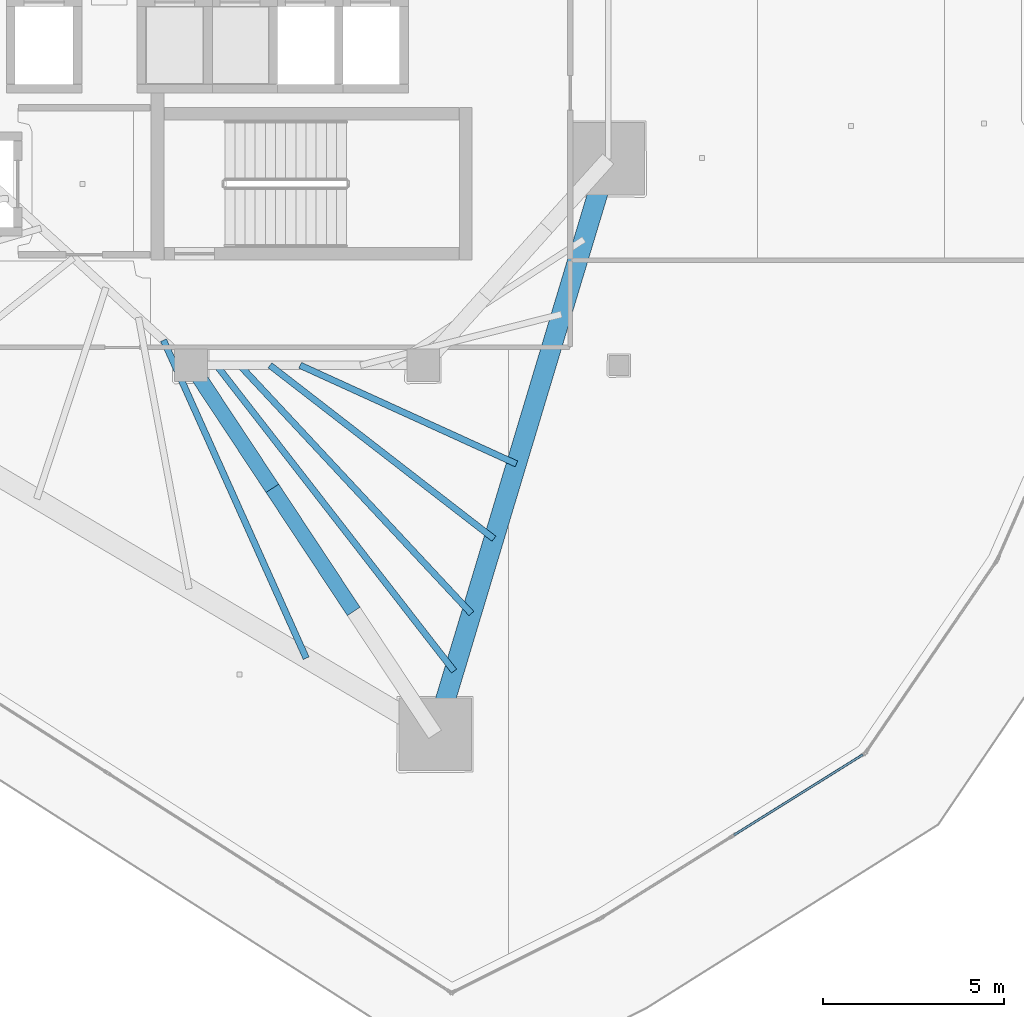
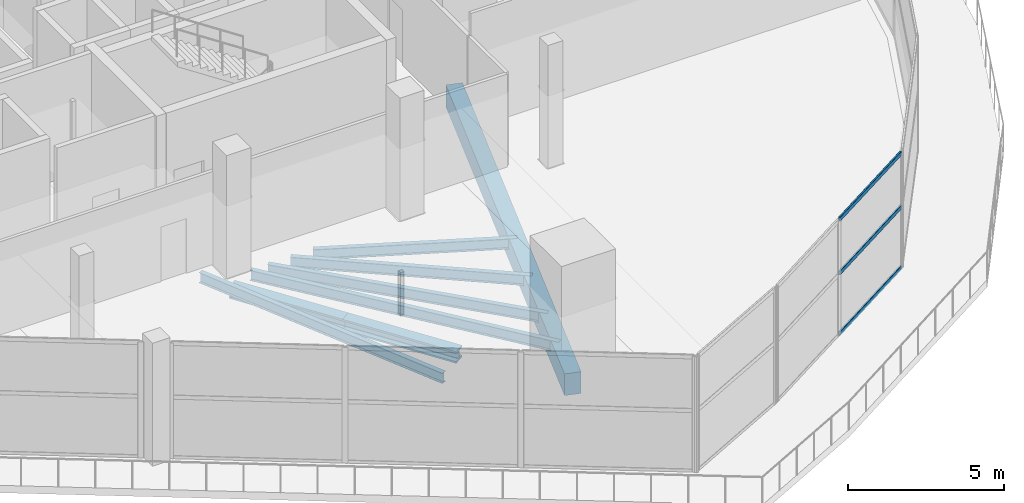
# One storey, part 10 of 36: 6 beams, 5 members, 1 element without a shape of its own.
"""IFC4 building model written with IfcOpenShell, lengths in metres."""

from ifc_helpers import new_model, si_unit, direction, frame, origin, origin_2d, place, context, subcontext, project, spatial, rectangle, hollow_rectangle, i_section, extrude, material, layer, layer_set, material_profile, profile_set, type_object, element, aggregate, save


model = new_model("IFC4")

# Units and contexts
model_context = context("Model", 3, precision=1e-05, world=origin(), true_north=direction((0.0, 1.0)))
body_context = subcontext(model_context, "Body", "Model", "MODEL_VIEW")
ifc_project = project(units=[si_unit("LENGTHUNIT", "METRE"), si_unit("AREAUNIT", "SQUARE_METRE"), si_unit("VOLUMEUNIT", "CUBIC_METRE"), si_unit("PLANEANGLEUNIT", "RADIAN"), si_unit("MASSUNIT", "GRAM", prefix="KILO")], contexts=[model_context])

# Site, building, storey
site_placement = place(None, origin())
site = spatial("IfcSite", under=ifc_project, at=site_placement, CompositionType="ELEMENT")
building_placement = place(site_placement, origin())
building = spatial("IfcBuilding", under=site, at=building_placement, Name="Qorvath Tower", CompositionType="ELEMENT")
storey_placement = place(building_placement, frame((0.0, 0.0, 180.0)))
storey = spatial("IfcBuildingStorey", under=building, at=storey_placement, Name="L41", CompositionType="ELEMENT", Elevation=180.0)

# Beams
ifc_material_1 = material(Name="Steel ASTM A992 Grade 50", Category="steel")
ifc_material_profile_1 = material_profile(ifc_material_1, i_section(OverallWidth=0.177978515625, OverallDepth=0.406005859375, WebThickness=0.0078125, FlangeThickness=0.0126953125, FilletRadius=0.010986328125, at=origin_2d()), Name="W16x40")
ifc_profile_set_1 = profile_set([ifc_material_profile_1], Name="Steel ASTM A992 Grade 50")
beam_type_1 = type_object("IfcBeamType", Name="BM-FJ3", PredefinedType="JOIST", material=ifc_profile_set_1)
beam_1_placement = place(storey_placement, frame((-20.592041015625, -11.449951171875, -0.5029296875), z_axis=(0.909945081179, -0.414728765868, 0.0), x_axis=(0.414728765868, 0.909945081179, 0.0)))
element("IfcBeam", 1, at=beam_1_placement, inside=storey, type_object=beam_type_1, Name="Composite Floor Joist SE4 L41", PredefinedType="JOIST", context=body_context, shape_type="SweptSolid", body=[
    extrude(i_section(OverallWidth=0.177978515625, OverallDepth=0.406005859375, WebThickness=0.0078125, FlangeThickness=0.0126953125, FilletRadius=0.010986328125, at=origin_2d()), origin(), (0.0, 0.0, 1.0), 6.554931640625),
])
beam_2_placement = place(storey_placement, frame((-21.424072265625, -11.449951171875, -0.5029296875), z_axis=(0.790693445503, -0.612212279555, 0.0), x_axis=(0.612212279555, 0.790693445503, 0.0)))
element("IfcBeam", 2, at=beam_2_placement, inside=storey, type_object=beam_type_1, Name="Composite Floor Joist SE5 L41", PredefinedType="JOIST", context=body_context, shape_type="SweptSolid", body=[
    extrude(i_section(OverallWidth=0.177978515625, OverallDepth=0.406005859375, WebThickness=0.0078125, FlangeThickness=0.0126953125, FilletRadius=0.010986328125, at=origin_2d()), origin(), (0.0, 0.0, 1.0), 7.810546875),
])
beam_3_placement = place(storey_placement, frame((-22.256103515625, -11.449951171875, -0.5029296875), z_axis=(0.682249490937, -0.731119437654, 0.0), x_axis=(0.731119437654, 0.682249490937, 0.0)))
element("IfcBeam", 3, at=beam_3_placement, inside=storey, type_object=beam_type_1, Name="Composite Floor Joist SE6 L41", PredefinedType="JOIST", context=body_context, shape_type="SweptSolid", body=[
    extrude(i_section(OverallWidth=0.177978515625, OverallDepth=0.406005859375, WebThickness=0.0078125, FlangeThickness=0.0126953125, FilletRadius=0.010986328125, at=origin_2d()), origin(), (0.0, 0.0, 1.0), 9.362060546875),
])
beam_4_placement = place(storey_placement, frame((-22.89599609375, -11.449951171875, -0.5029296875), z_axis=(0.61345131907, -0.789732536452, 0.0), x_axis=(0.789732536452, 0.61345131907, 0.0)))
element("IfcBeam", 4, at=beam_4_placement, inside=storey, type_object=beam_type_1, Name="Composite Floor Joist SE7 L41", PredefinedType="JOIST", context=body_context, shape_type="SweptSolid", body=[
    extrude(i_section(OverallWidth=0.177978515625, OverallDepth=0.406005859375, WebThickness=0.0078125, FlangeThickness=0.0126953125, FilletRadius=0.010986328125, at=origin_2d()), origin(), (0.0, 0.0, 1.0), 10.676513671875),
])
beam_5_placement = place(storey_placement, frame((-24.35888671875, -10.757080078125, -0.5029296875), z_axis=(0.409327209141, -0.912387656568, 0.0), x_axis=(0.912387656568, 0.409327209141, 0.0)))
element("IfcBeam", 5, at=beam_5_placement, inside=storey, type_object=beam_type_1, Name="Composite Floor Joist SW7 L41", PredefinedType="JOIST", context=body_context, shape_type="SweptSolid", body=[
    extrude(i_section(OverallWidth=0.177978515625, OverallDepth=0.406005859375, WebThickness=0.0078125, FlangeThickness=0.0126953125, FilletRadius=0.010986328125, at=origin_2d()), origin(), (0.0, 0.0, 1.0), 9.611083984375),
])
ifc_material_2 = material(Name="Concrete C50/60", Category="concrete")
ifc_material_profile_2 = material_profile(ifc_material_2, rectangle(XDim=0.550048828125, YDim=0.85009765625, at=origin_2d()), Name="RCB 850x550")
ifc_profile_set_2 = profile_set([ifc_material_profile_2], Name="Concrete C50/60")
beam_type_2 = type_object("IfcBeamType", Name="BM-RCB2", PredefinedType="SPANDREL", material=ifc_profile_set_2)
beam_6_placement = place(storey_placement, frame((-16.87158203125, -21.627197265625, -0.72509765625), z_axis=(0.28812763802, 0.957592013443, 0.0), x_axis=(-0.957592013443, 0.28812763802, 0.0)))
element("IfcBeam", 6, at=beam_6_placement, inside=storey, type_object=beam_type_2, Name="Perimeter Loggia Frame Beam MC3-MC4 L41", PredefinedType="SPANDREL", context=body_context, shape_type="SweptSolid", body=[
    extrude(rectangle(XDim=0.550048828125, YDim=0.85009765625, at=origin_2d()), origin(), (0.0, 0.0, 1.0), 16.572265625),
])

# Curtain wall, members
ifc_material_3 = material(Name="Anodised aluminium and triple low-E glass", Category="aluminium")
ifc_layer = layer(ifc_material_3, 0.179931640625)
ifc_layer_set = layer_set([ifc_layer], Name="CW-SYS-5")
curtain_wall_type = type_object("IfcCurtainWallType", Name="CW-SYS-5", PredefinedType="NOTDEFINED", material=ifc_layer_set)
curtain_wall_placement = place(storey_placement, origin())
curtain_wall = element("IfcCurtainWall", 7, at=curtain_wall_placement, inside=storey, type_object=curtain_wall_type, Name="Curtain Wall CW-5 CW-T-L41-4.1", PredefinedType="NOTDEFINED")
ifc_material_4 = material(Name="Anodised aluminium 6063-T6", Category="aluminium")
ifc_material_profile_3 = material_profile(ifc_material_4, hollow_rectangle(XDim=0.06494140625, YDim=0.159912109375, WallThickness=0.00341796875, InnerFilletRadius=0.00341796875, OuterFilletRadius=0.007080078125, at=origin_2d()), Name="CWT 160x65")
ifc_profile_set_3 = profile_set([ifc_material_profile_3], Name="Anodised aluminium 6063-T6")
member_type_1 = type_object("IfcMemberType", Name="CWT-160", PredefinedType="USERDEFINED", material=ifc_profile_set_3)
member_1_placement = place(storey_placement, frame((-8.62841796875, -24.403564453125, 0.032470703125), z_axis=(0.848427140376, 0.529312183378, 0.0), x_axis=(-0.529312183378, 0.848427140376, 0.0)))
member_1 = element("IfcMember", 8, at=member_1_placement, type_object=member_type_1, Name="CW-5 transom 2.1", ObjectType="TRANSOM", PredefinedType="USERDEFINED", context=body_context, shape_type="SweptSolid", body=[
    extrude(hollow_rectangle(XDim=0.06494140625, YDim=0.159912109375, WallThickness=0.00341796875, InnerFilletRadius=0.00341796875, OuterFilletRadius=0.007080078125, at=origin_2d()), origin(), (0.0, 0.0, 1.0), 4.187255859375),
])
member_2_placement = place(storey_placement, frame((-8.62841796875, -24.403564453125, 2.39990234375), z_axis=(0.848427140376, 0.529312183378, 0.0), x_axis=(-0.529312183378, 0.848427140376, 0.0)))
member_2 = element("IfcMember", 9, at=member_2_placement, type_object=member_type_1, Name="CW-5 transom 2.2", ObjectType="TRANSOM", PredefinedType="USERDEFINED", context=body_context, shape_type="SweptSolid", body=[
    extrude(hollow_rectangle(XDim=0.06494140625, YDim=0.159912109375, WallThickness=0.00341796875, InnerFilletRadius=0.00341796875, OuterFilletRadius=0.007080078125, at=origin_2d()), origin(), (0.0, 0.0, 1.0), 4.187255859375),
])
member_3_placement = place(storey_placement, frame((-8.62841796875, -24.403564453125, 4.49755859375), z_axis=(0.848427140376, 0.529312183378, 0.0), x_axis=(-0.529312183378, 0.848427140376, 0.0)))
member_3 = element("IfcMember", 10, at=member_3_placement, type_object=member_type_1, Name="CW-5 transom 2.3", ObjectType="TRANSOM", PredefinedType="USERDEFINED", context=body_context, shape_type="SweptSolid", body=[
    extrude(hollow_rectangle(XDim=0.06494140625, YDim=0.159912109375, WallThickness=0.00341796875, InnerFilletRadius=0.00341796875, OuterFilletRadius=0.007080078125, at=origin_2d()), origin(), (0.0, 0.0, 1.0), 4.187255859375),
])
aggregate(curtain_wall, [member_1, member_2, member_3])

# Members
ifc_material_5 = material(Name="Steel ASTM A913 Grade 65", Category="steel")
ifc_material_profile_4 = material_profile(ifc_material_5, i_section(OverallWidth=0.4189453125, OverallDepth=0.455078125, WebThickness=0.0419921875, FlangeThickness=0.067626953125, FilletRadius=0.02490234375, at=origin_2d()), Name="W14x370")
ifc_profile_set_4 = profile_set([ifc_material_profile_4], Name="Steel ASTM A913 Grade 65")
member_type_2 = type_object("IfcMemberType", Name="MEM-OT2", PredefinedType="CHORD", material=ifc_profile_set_4)
for number, where, z_axis, x_axis, name in (
    (11, (-23.60009765625, -11.449951171875, -0.85009765625), (0.551523648161, -0.834159256689, 0.0), (0.834159256689, 0.551523648161, 0.0), "Outrigger and Belt Truss Top Chord OB2-4.1"),
    (12, (-21.357177734375, -14.84228515625, -0.85009765625), (0.551481873788, -0.834186875276, 0.0), (0.834186875276, 0.551481873788, 0.0), "Outrigger and Belt Truss Top Chord OB2-4.2"),
):
    element("IfcMember", number, at=place(storey_placement, frame(where, z_axis=z_axis, x_axis=x_axis)), inside=storey, type_object=member_type_2, Name=name, PredefinedType="CHORD", context=body_context, shape_type="SweptSolid", body=[
        extrude(i_section(OverallWidth=0.4189453125, OverallDepth=0.455078125, WebThickness=0.0419921875, FlangeThickness=0.067626953125, FilletRadius=0.02490234375, at=origin_2d()), origin(), (0.0, 0.0, 1.0), 4.066650390625),
    ])

save(model, "model.ifc")
